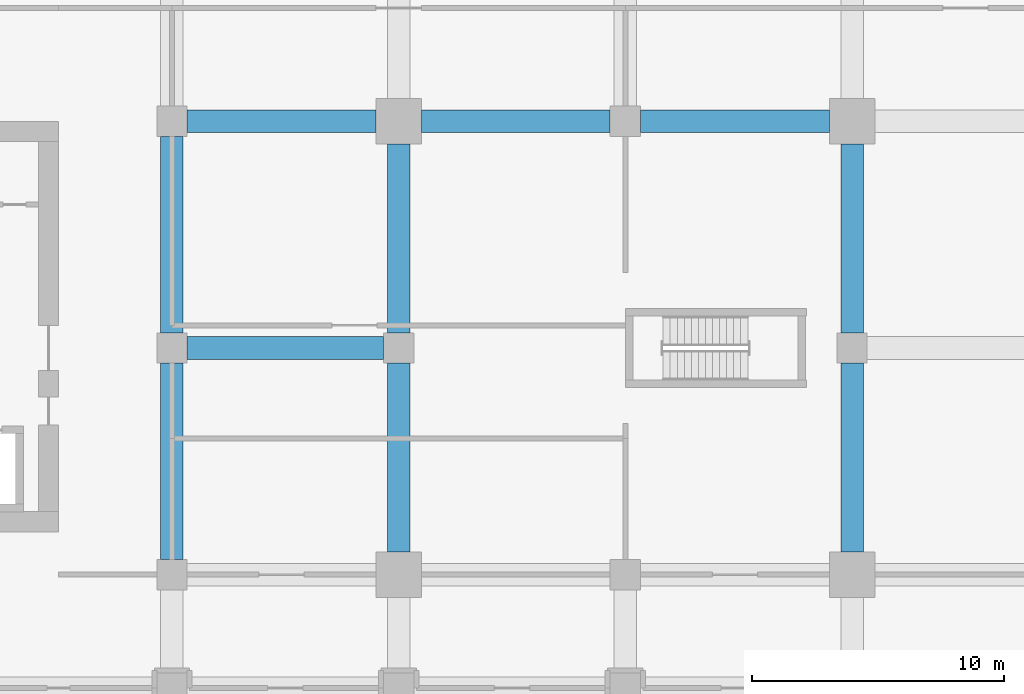
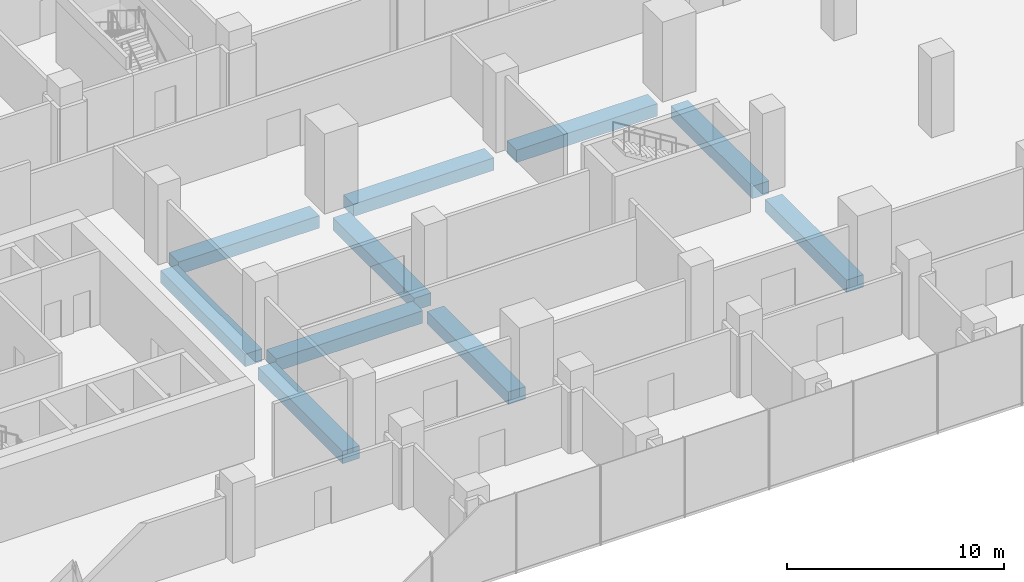
# One storey, part 7 of 43: 10 beams.
"""IFC4 building model written with IfcOpenShell, lengths in metres."""

from ifc_helpers import new_model, si_unit, direction, frame, origin, origin_2d, place, context, subcontext, project, spatial, rectangle, extrude, material, material_profile, profile_set, type_object, element, save


model = new_model("IFC4")

# Units and contexts
model_context = context("Model", 3, precision=1e-05, world=origin(), true_north=direction((0.0, 1.0)))
body_context = subcontext(model_context, "Body", "Model", "MODEL_VIEW")
ifc_project = project(units=[si_unit("LENGTHUNIT", "METRE"), si_unit("AREAUNIT", "SQUARE_METRE"), si_unit("VOLUMEUNIT", "CUBIC_METRE"), si_unit("PLANEANGLEUNIT", "RADIAN"), si_unit("MASSUNIT", "GRAM", prefix="KILO")], contexts=[model_context])

# Site, building, storey
site_placement = place(None, origin())
site = spatial("IfcSite", under=ifc_project, at=site_placement, CompositionType="ELEMENT")
building_placement = place(site_placement, origin())
building = spatial("IfcBuilding", under=site, at=building_placement, Name="Plateau Cross Towers", CompositionType="ELEMENT")
storey_placement = place(building_placement, frame((0.0, 0.0, 12.800048828125)))
storey = spatial("IfcBuildingStorey", under=building, at=storey_placement, Name="L02", CompositionType="ELEMENT", Elevation=12.800048828125)

# Beams
ifc_material = material(Name="Concrete C50/60", Category="concrete")
ifc_material_profile = material_profile(ifc_material, rectangle(XDim=0.89990234375, YDim=0.699951171875, at=origin_2d()), Name="RC 900x700")
ifc_profile_set = profile_set([ifc_material_profile], Name="Concrete C50/60")
beam_type = type_object("IfcBeamType", Name="Podium band beam RC 900x700", PredefinedType="BEAM", material=ifc_profile_set)
beam_placement = place(storey_placement, frame((27.60009765625, 9.0, -0.699951171875), z_axis=(1.0, 0.0, 0.0), x_axis=(0.0, 1.0, 0.0)))
element("IfcBeam", 1, at=beam_placement, inside=storey, type_object=beam_type, Name="PB26@L02", PredefinedType="BEAM", context=body_context, shape_type="SweptSolid", body=[
    extrude(rectangle(XDim=0.89990234375, YDim=0.699951171875, at=origin_2d()), origin(), (0.0, 0.0, 1.0), 7.7998046875),
])
for number, where, z_axis, x_axis, name in (
    (2, (27.60009765625, 18.0, -0.699951171875), (1.0, 0.0, 0.0), (0.0, 1.0, 0.0), "PB28@L02"),
    (3, (36.89990234375, 18.0, -0.699951171875), (1.0, 0.0, 0.0), (0.0, 1.0, 0.0), "PB29@L02"),
    (4, (45.60009765625, 18.0, -0.699951171875), (1.0, 0.0, 0.0), (0.0, 1.0, 0.0), "PB30@L02"),
):
    element("IfcBeam", number, at=place(storey_placement, frame(where, z_axis=z_axis, x_axis=x_axis)), inside=storey, type_object=beam_type, Name=name, PredefinedType="BEAM", context=body_context, shape_type="SweptSolid", body=[
        extrude(rectangle(XDim=0.89990234375, YDim=0.699951171875, at=origin_2d()), origin(), (0.0, 0.0, 1.0), 7.5),
    ])
for number, where, z_axis, x_axis, name in (
    (5, (27.0, 0.60009765625, -0.699951171875), (0.0, 1.0, 0.0), (-1.0, 0.0, 0.0), "PB116@L02"),
    (6, (27.0, 9.60009765625, -0.699951171875), (0.0, 1.0, 0.0), (-1.0, 0.0, 0.0), "PB117@L02"),
):
    element("IfcBeam", number, at=place(storey_placement, frame(where, z_axis=z_axis, x_axis=x_axis)), inside=storey, type_object=beam_type, Name=name, PredefinedType="BEAM", context=body_context, shape_type="SweptSolid", body=[
        extrude(rectangle(XDim=0.89990234375, YDim=0.699951171875, at=origin_2d()), origin(), (0.0, 0.0, 1.0), 7.7998046875),
    ])
for number, where, z_axis, x_axis, name in (
    (7, (36.0, 0.89990234375, -0.699951171875), (0.0, 1.0, 0.0), (-1.0, 0.0, 0.0), "PB125@L02"),
    (8, (36.0, 9.60009765625, -0.699951171875), (0.0, 1.0, 0.0), (-1.0, 0.0, 0.0), "PB126@L02"),
    (9, (54.0, 0.89990234375, -0.699951171875), (0.0, 1.0, 0.0), (-1.0, 0.0, 0.0), "PB141@L02"),
    (10, (54.0, 9.60009765625, -0.699951171875), (0.0, 1.0, 0.0), (-1.0, 0.0, 0.0), "PB142@L02"),
):
    element("IfcBeam", number, at=place(storey_placement, frame(where, z_axis=z_axis, x_axis=x_axis)), inside=storey, type_object=beam_type, Name=name, PredefinedType="BEAM", context=body_context, shape_type="SweptSolid", body=[
        extrude(rectangle(XDim=0.89990234375, YDim=0.699951171875, at=origin_2d()), origin(), (0.0, 0.0, 1.0), 7.5),
    ])

save(model, "model.ifc")
